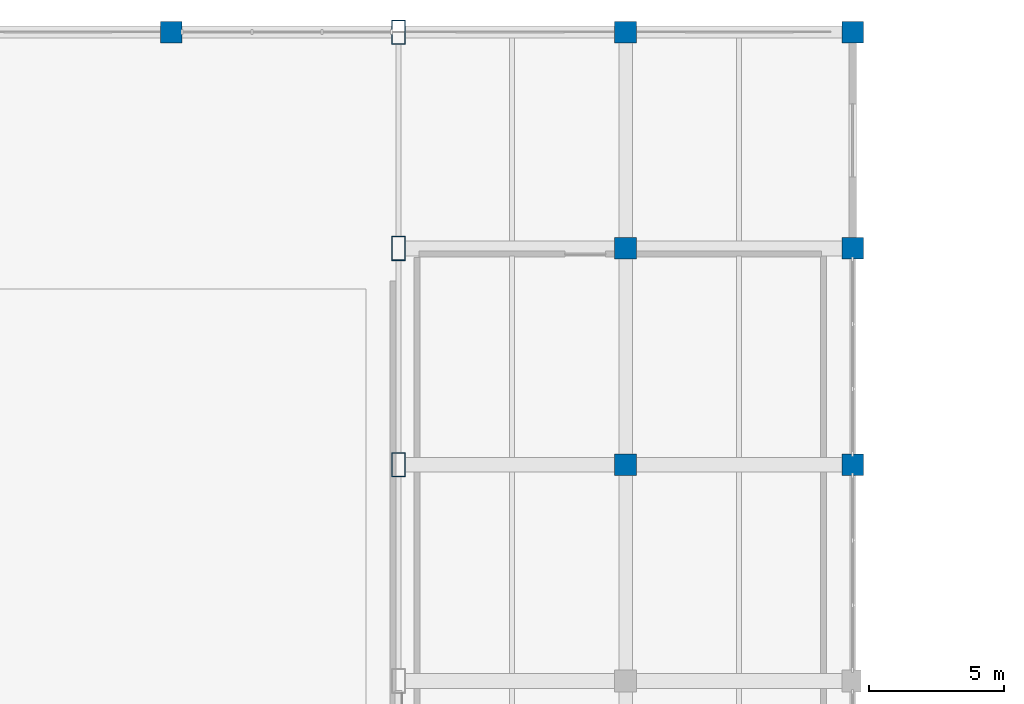
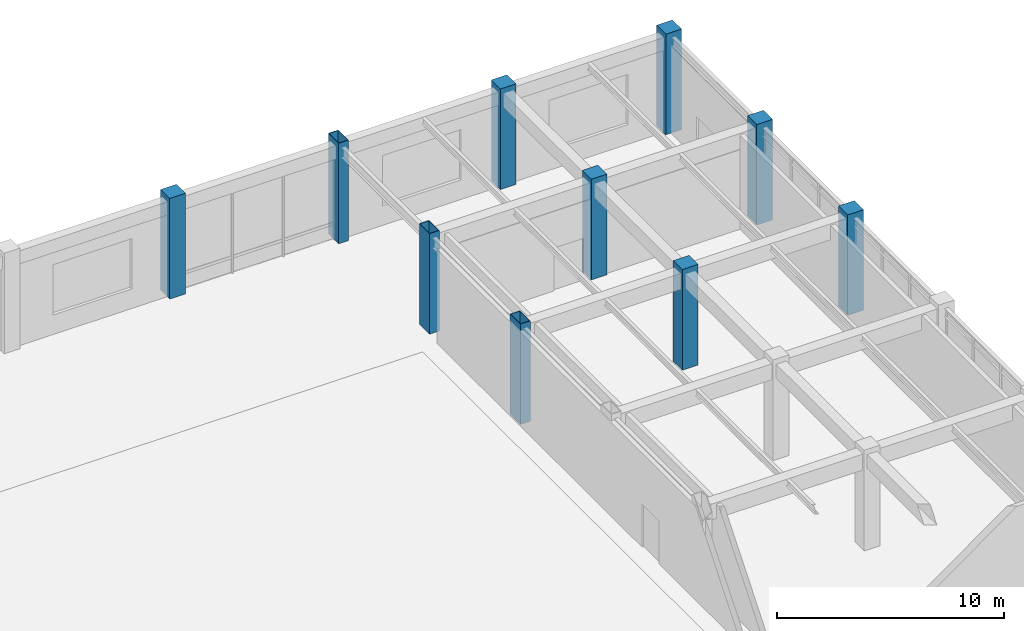
# One storey, part 14 of 79: 10 columns.
"""IFC4 building model written with IfcOpenShell, lengths in metres."""

from ifc_helpers import new_model, si_unit, direction, frame, origin, origin_2d, place, context, subcontext, project, spatial, rectangle, hollow_rectangle, extrude, material, material_profile, profile_set, type_object, element, save


model = new_model("IFC4")

# Units and contexts
model_context = context("Model", 3, precision=1e-05, world=origin(), true_north=direction((0.0, 1.0)))
body_context = subcontext(model_context, "Body", "Model", "MODEL_VIEW")
ifc_project = project(units=[si_unit("LENGTHUNIT", "METRE"), si_unit("AREAUNIT", "SQUARE_METRE"), si_unit("VOLUMEUNIT", "CUBIC_METRE"), si_unit("PLANEANGLEUNIT", "RADIAN"), si_unit("MASSUNIT", "GRAM", prefix="KILO")], contexts=[model_context])

# Site, building, storey
site_placement = place(None, origin())
site = spatial("IfcSite", under=ifc_project, at=site_placement, CompositionType="ELEMENT")
building_placement = place(site_placement, origin())
building = spatial("IfcBuilding", under=site, at=building_placement, Name="Naruveol Harbour Congress Hotel", CompositionType="ELEMENT")
storey_placement = place(building_placement, frame((0.0, 0.0, 6.0)))
storey = spatial("IfcBuildingStorey", under=building, at=storey_placement, Name="L01", CompositionType="ELEMENT", Elevation=6.0)

# Columns
ifc_material_1 = material(Name="Concrete C50/60", Category="concrete")
ifc_material_profile_1 = material_profile(ifc_material_1, rectangle(XDim=0.800048828125, YDim=0.800048828125, at=origin_2d()), Name="RC-800x800")
ifc_profile_set_1 = profile_set([ifc_material_profile_1], Name="Concrete C50/60")
column_type_1 = type_object("IfcColumnType", Name="RC PODIUM COLUMN 800X800", PredefinedType="COLUMN", material=ifc_profile_set_1)
for number, where, z_axis, x_axis, name in (
    (1, (100.800048828125, 112.0, 0.0), (0.0, 0.0, 1.0), (1.0, 0.0, 0.0), "Column C-800 L01 (100.8,112.0)"),
    (2, (117.60009765625, 96.0, 0.0), (0.0, 0.0, 1.0), (1.0, 0.0, 0.0), "Column C-800 L01 (117.6,96.0)"),
    (3, (117.60009765625, 104.0, 0.0), (0.0, 0.0, 1.0), (1.0, 0.0, 0.0), "Column C-800 L01 (117.6,104.0)"),
    (4, (117.60009765625, 112.0, 0.0), (0.0, 0.0, 1.0), (1.0, 0.0, 0.0), "Column C-800 L01 (117.6,112.0)"),
    (5, (126.0, 96.0, 0.0), (0.0, 0.0, 1.0), (1.0, 0.0, 0.0), "Column C-800 L01 (126.0,96.0)"),
    (6, (126.0, 104.0, 0.0), (0.0, 0.0, 1.0), (1.0, 0.0, 0.0), "Column C-800 L01 (126.0,104.0)"),
    (7, (126.0, 112.0, 0.0), (0.0, 0.0, 1.0), (1.0, 0.0, 0.0), "Column C-800 L01 (126.0,112.0)"),
):
    element("IfcColumn", number, at=place(storey_placement, frame(where, z_axis=z_axis, x_axis=x_axis)), inside=storey, type_object=column_type_1, Name=name, PredefinedType="COLUMN", context=body_context, shape_type="SweptSolid", body=[
        extrude(rectangle(XDim=0.800048828125, YDim=0.800048828125, at=origin_2d()), origin(), (0.0, 0.0, 1.0), 5.39990234375),
    ])
ifc_material_2 = material(Name="Steel SN490", Category="steel")
ifc_material_profile_2 = material_profile(ifc_material_2, hollow_rectangle(XDim=0.5, YDim=0.89990234375, WallThickness=0.02392578125, at=origin_2d()), Name="RHS-900x500x24")
ifc_profile_set_2 = profile_set([ifc_material_profile_2], Name="Steel SN490")
column_type_2 = type_object("IfcColumnType", Name="STEEL HALL COLUMN H900X300", PredefinedType="COLUMN", material=ifc_profile_set_2)
for number, where, z_axis, x_axis, name in (
    (8, (109.199951171875, 96.0, 0.0), (0.0, 0.0, 1.0), (1.0, 0.0, 0.0), "Column SC-H900 L01 (109.2,96.0)"),
    (9, (109.199951171875, 104.0, 0.0), (0.0, 0.0, 1.0), (1.0, 0.0, 0.0), "Column SC-H900 L01 (109.2,104.0)"),
    (10, (109.199951171875, 112.0, 0.0), (0.0, 0.0, 1.0), (1.0, 0.0, 0.0), "Column SC-H900 L01 (109.2,112.0)"),
):
    element("IfcColumn", number, at=place(storey_placement, frame(where, z_axis=z_axis, x_axis=x_axis)), inside=storey, type_object=column_type_2, Name=name, PredefinedType="COLUMN", context=body_context, shape_type="SweptSolid", body=[
        extrude(hollow_rectangle(XDim=0.5, YDim=0.89990234375, WallThickness=0.02392578125, at=origin_2d()), origin(), (0.0, 0.0, 1.0), 5.39990234375),
    ])

save(model, "model.ifc")
